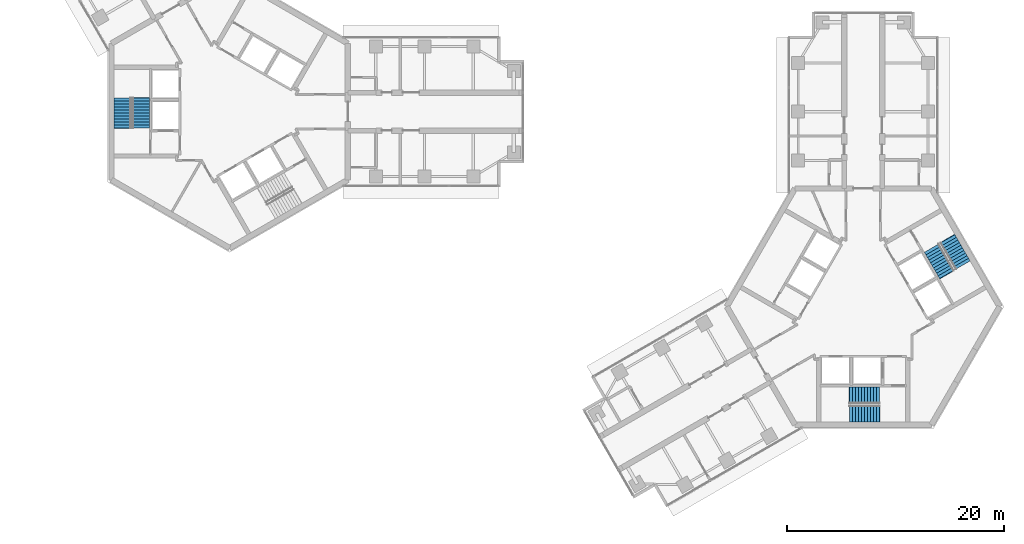
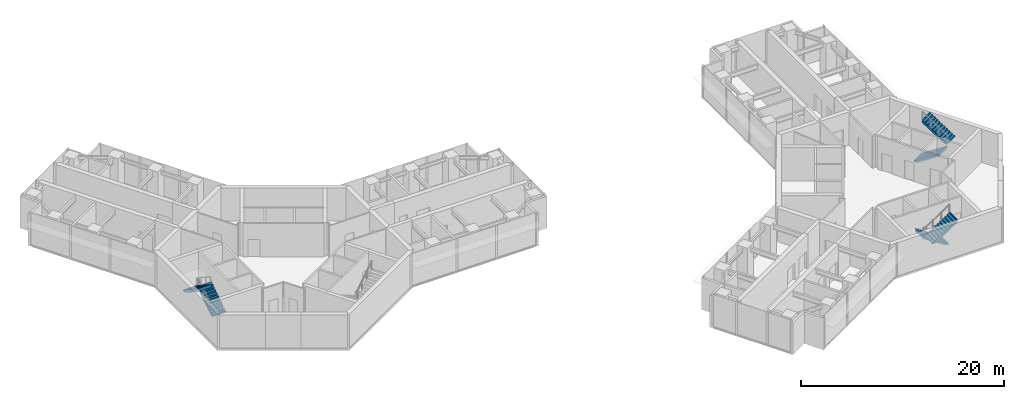
# One storey, part 16 of 17: 6 stair flights, 3 elements without a shape of their own.
"""IFC4 building model written with IfcOpenShell, lengths in metres."""

from ifc_helpers import new_model, si_unit, direction, frame, origin, place, context, subcontext, project, spatial, polyline, outline, extrude, material, type_object, element, aggregate, save


model = new_model("IFC4")

# Units and contexts
model_context = context("Model", 3, precision=1e-05, world=origin(), true_north=direction((0.0, 1.0)))
body_context = subcontext(model_context, "Body", "Model", "MODEL_VIEW")
ifc_project = project(units=[si_unit("LENGTHUNIT", "METRE"), si_unit("AREAUNIT", "SQUARE_METRE"), si_unit("VOLUMEUNIT", "CUBIC_METRE"), si_unit("PLANEANGLEUNIT", "RADIAN"), si_unit("MASSUNIT", "GRAM", prefix="KILO")], contexts=[model_context])

# Site, building, storey
site_placement = place(None, origin())
site = spatial("IfcSite", under=ifc_project, at=site_placement, CompositionType="ELEMENT")
building_placement = place(site_placement, origin())
building = spatial("IfcBuilding", under=site, at=building_placement, Name="Upepo Twin Towers", CompositionType="ELEMENT")
storey_placement = place(building_placement, frame((0.0, 0.0, 178.5)))
storey = spatial("IfcBuildingStorey", under=building, at=storey_placement, Name="L43", CompositionType="ELEMENT", Elevation=178.5)

# Stair, stair flights
ifc_material_1 = material(Name="Concrete C40/50", Category="concrete")
stair_type = type_object("IfcStairType", Name="Core stair, two flights", PredefinedType="HALF_TURN_STAIR", material=ifc_material_1)
stair_1_placement = place(storey_placement, origin())
stair_1 = element("IfcStair", 1, at=stair_1_placement, inside=storey, type_object=stair_type, Name="T1 stair S1 L43", PredefinedType="HALF_TURN_STAIR")
ifc_material_2 = material(Name="Concrete C40/50", Category="concrete")
stair_flight_type = type_object("IfcStairFlightType", Name="Stair flight 1550 RC", PredefinedType="STRAIGHT", material=ifc_material_2)
stair_flight_1_placement = place(storey_placement, frame((-8.175048828125, -1.52001953125, 0.0), z_axis=(0.0, 0.0, 1.0), x_axis=(0.0, 1.0, 0.0)))
stair_flight_1 = element("IfcStairFlight", 2, at=stair_flight_1_placement, type_object=stair_flight_type, Name="Stair S1 flight 1", NumberOfRisers=11, NumberOfTreads=10, PredefinedType="STRAIGHT", RiserHeight=0.181818182, TreadLength=0.28, context=body_context, shape_type="SweptSolid", body=[
    extrude(outline(polyline([(0.0, 0.0), (0.0, 0.181884765625), (0.280029296875, 0.181884765625), (0.280029296875, 0.363525390625), (0.56005859375, 0.363525390625), (0.56005859375, 0.54541015625), (0.840087890625, 0.54541015625), (0.840087890625, 0.727294921875), (1.1201171875, 0.727294921875), (1.1201171875, 0.9091796875), (1.39990234375, 0.9091796875), (1.39990234375, 1.0908203125), (1.679931640625, 1.0908203125), (1.679931640625, 1.272705078125), (1.9599609375, 1.272705078125), (1.9599609375, 1.45458984375), (2.239990234375, 1.45458984375), (2.239990234375, 1.636474609375), (2.52001953125, 1.636474609375), (2.52001953125, 1.818115234375), (2.800048828125, 1.818115234375), (2.800048828125, 2.0), (2.85009765625, 2.0), (2.85009765625, 1.639404296875), (0.3251953125, 0.0), (0.0, 0.0)])), frame((0.0, 0.77490234375, 0.0), z_axis=(0.0, -1.0, 0.0), x_axis=(1.0, 0.0, 0.0)), (0.0, 0.0, 1.0), 1.550048828125),
])
stair_flight_2_placement = place(storey_placement, frame((-9.88330078125, 1.280029296875, 2.0), z_axis=(0.0, 0.0, 1.0), x_axis=(0.0, -1.0, 0.0)))
stair_flight_2 = element("IfcStairFlight", 3, at=stair_flight_2_placement, type_object=stair_flight_type, Name="Stair S1 flight 2", NumberOfRisers=11, NumberOfTreads=10, PredefinedType="STRAIGHT", RiserHeight=0.181818182, TreadLength=0.28, context=body_context, shape_type="SweptSolid", body=[
    extrude(outline(polyline([(0.0, 0.0), (0.0, 0.181884765625), (0.280029296875, 0.181884765625), (0.280029296875, 0.363525390625), (0.56005859375, 0.363525390625), (0.56005859375, 0.54541015625), (0.840087890625, 0.54541015625), (0.840087890625, 0.727294921875), (1.1201171875, 0.727294921875), (1.1201171875, 0.9091796875), (1.39990234375, 0.9091796875), (1.39990234375, 1.0908203125), (1.679931640625, 1.0908203125), (1.679931640625, 1.272705078125), (1.9599609375, 1.272705078125), (1.9599609375, 1.45458984375), (2.239990234375, 1.45458984375), (2.239990234375, 1.636474609375), (2.52001953125, 1.636474609375), (2.52001953125, 1.818115234375), (2.800048828125, 1.818115234375), (2.800048828125, 2.0), (2.85009765625, 2.0), (2.85009765625, 1.639404296875), (0.3251953125, 0.0), (0.0, 0.0)])), frame((0.0, 0.77490234375, 0.0), z_axis=(0.0, -1.0, 0.0), x_axis=(1.0, 0.0, 0.0)), (0.0, 0.0, 1.0), 1.550048828125),
])
aggregate(stair_1, [stair_flight_1, stair_flight_2])

stair_2_placement = place(storey_placement, origin())
stair_2 = element("IfcStair", 4, at=stair_2_placement, inside=storey, type_object=stair_type, Name="T2 stair S1 L43", PredefinedType="HALF_TURN_STAIR")
stair_flight_3_placement = place(storey_placement, frame((60.02001953125, -26.175048828125, 0.0), z_axis=(0.0, 0.0, 1.0), x_axis=(-1.0, 0.0, 0.0)))
stair_flight_3 = element("IfcStairFlight", 5, at=stair_flight_3_placement, type_object=stair_flight_type, Name="Stair S1 flight 1", NumberOfRisers=11, NumberOfTreads=10, PredefinedType="STRAIGHT", RiserHeight=0.181818182, TreadLength=0.28, context=body_context, shape_type="SweptSolid", body=[
    extrude(outline(polyline([(0.0, 0.0), (0.0, 0.181884765625), (0.280029296875, 0.181884765625), (0.280029296875, 0.363525390625), (0.56005859375, 0.363525390625), (0.56005859375, 0.54541015625), (0.840087890625, 0.54541015625), (0.840087890625, 0.727294921875), (1.1201171875, 0.727294921875), (1.1201171875, 0.9091796875), (1.39990234375, 0.9091796875), (1.39990234375, 1.0908203125), (1.679931640625, 1.0908203125), (1.679931640625, 1.272705078125), (1.9599609375, 1.272705078125), (1.9599609375, 1.45458984375), (2.239990234375, 1.45458984375), (2.239990234375, 1.636474609375), (2.52001953125, 1.636474609375), (2.52001953125, 1.818115234375), (2.800048828125, 1.818115234375), (2.800048828125, 2.0), (2.85009765625, 2.0), (2.85009765625, 1.639404296875), (0.3251953125, 0.0), (0.0, 0.0)])), frame((0.0, 0.77490234375, 0.0), z_axis=(0.0, -1.0, 0.0), x_axis=(1.0, 0.0, 0.0)), (0.0, 0.0, 1.0), 1.550048828125),
])
stair_flight_4_placement = place(storey_placement, frame((57.219970703125, -27.88330078125, 2.0), z_axis=(0.0, 0.0, 1.0), x_axis=(1.0, 0.0, 0.0)))
stair_flight_4 = element("IfcStairFlight", 6, at=stair_flight_4_placement, type_object=stair_flight_type, Name="Stair S1 flight 2", NumberOfRisers=11, NumberOfTreads=10, PredefinedType="STRAIGHT", RiserHeight=0.181818182, TreadLength=0.28, context=body_context, shape_type="SweptSolid", body=[
    extrude(outline(polyline([(0.0, 0.0), (0.0, 0.181884765625), (0.280029296875, 0.181884765625), (0.280029296875, 0.363525390625), (0.56005859375, 0.363525390625), (0.56005859375, 0.54541015625), (0.840087890625, 0.54541015625), (0.840087890625, 0.727294921875), (1.1201171875, 0.727294921875), (1.1201171875, 0.9091796875), (1.39990234375, 0.9091796875), (1.39990234375, 1.0908203125), (1.679931640625, 1.0908203125), (1.679931640625, 1.272705078125), (1.9599609375, 1.272705078125), (1.9599609375, 1.45458984375), (2.239990234375, 1.45458984375), (2.239990234375, 1.636474609375), (2.52001953125, 1.636474609375), (2.52001953125, 1.818115234375), (2.800048828125, 1.818115234375), (2.800048828125, 2.0), (2.85009765625, 2.0), (2.85009765625, 1.639404296875), (0.3251953125, 0.0), (0.0, 0.0)])), frame((0.0, 0.77490234375, 0.0), z_axis=(0.0, -1.0, 0.0), x_axis=(1.0, 0.0, 0.0)), (0.0, 0.0, 1.0), 1.550048828125),
])
aggregate(stair_2, [stair_flight_3, stair_flight_4])

stair_3_placement = place(storey_placement, origin())
stair_3 = element("IfcStair", 7, at=stair_3_placement, inside=storey, type_object=stair_type, Name="T2 stair S2 L43", PredefinedType="HALF_TURN_STAIR")
stair_flight_5_placement = place(storey_placement, frame((64.81982421875, -12.59619140625, 0.0), z_axis=(0.0, 0.0, 1.0), x_axis=(0.5, -0.866025403784, 0.0)))
stair_flight_5 = element("IfcStairFlight", 8, at=stair_flight_5_placement, type_object=stair_flight_type, Name="Stair S2 flight 1", NumberOfRisers=11, NumberOfTreads=10, PredefinedType="STRAIGHT", RiserHeight=0.181818182, TreadLength=0.28, context=body_context, shape_type="SweptSolid", body=[
    extrude(outline(polyline([(0.0, 0.0), (0.0, 0.181884765625), (0.280029296875, 0.181884765625), (0.280029296875, 0.363525390625), (0.56005859375, 0.363525390625), (0.56005859375, 0.54541015625), (0.840087890625, 0.54541015625), (0.840087890625, 0.727294921875), (1.1201171875, 0.727294921875), (1.1201171875, 0.9091796875), (1.39990234375, 0.9091796875), (1.39990234375, 1.0908203125), (1.679931640625, 1.0908203125), (1.679931640625, 1.272705078125), (1.9599609375, 1.272705078125), (1.9599609375, 1.45458984375), (2.239990234375, 1.45458984375), (2.239990234375, 1.636474609375), (2.52001953125, 1.636474609375), (2.52001953125, 1.818115234375), (2.800048828125, 1.818115234375), (2.800048828125, 2.0), (2.85009765625, 2.0), (2.85009765625, 1.639404296875), (0.3251953125, 0.0), (0.0, 0.0)])), frame((0.0, 0.77490234375, 0.0), z_axis=(0.0, -1.0, 0.0), x_axis=(1.0, 0.0, 0.0)), (0.0, 0.0, 1.0), 1.550048828125),
])
stair_flight_6_placement = place(storey_placement, frame((67.69921875, -14.166748046875, 2.0), z_axis=(0.0, 0.0, 1.0), x_axis=(-0.5, 0.866025403784, 0.0)))
stair_flight_6 = element("IfcStairFlight", 9, at=stair_flight_6_placement, type_object=stair_flight_type, Name="Stair S2 flight 2", NumberOfRisers=11, NumberOfTreads=10, PredefinedType="STRAIGHT", RiserHeight=0.181818182, TreadLength=0.28, context=body_context, shape_type="SweptSolid", body=[
    extrude(outline(polyline([(0.0, 0.0), (0.0, 0.181884765625), (0.280029296875, 0.181884765625), (0.280029296875, 0.363525390625), (0.56005859375, 0.363525390625), (0.56005859375, 0.54541015625), (0.840087890625, 0.54541015625), (0.840087890625, 0.727294921875), (1.1201171875, 0.727294921875), (1.1201171875, 0.9091796875), (1.39990234375, 0.9091796875), (1.39990234375, 1.0908203125), (1.679931640625, 1.0908203125), (1.679931640625, 1.272705078125), (1.9599609375, 1.272705078125), (1.9599609375, 1.45458984375), (2.239990234375, 1.45458984375), (2.239990234375, 1.636474609375), (2.52001953125, 1.636474609375), (2.52001953125, 1.818115234375), (2.800048828125, 1.818115234375), (2.800048828125, 2.0), (2.85009765625, 2.0), (2.85009765625, 1.639404296875), (0.3251953125, 0.0), (0.0, 0.0)])), frame((0.0, 0.77490234375, 0.0), z_axis=(0.0, -1.0, 0.0), x_axis=(1.0, 0.0, 0.0)), (0.0, 0.0, 1.0), 1.550048828125),
])
aggregate(stair_3, [stair_flight_5, stair_flight_6])

save(model, "model.ifc")
